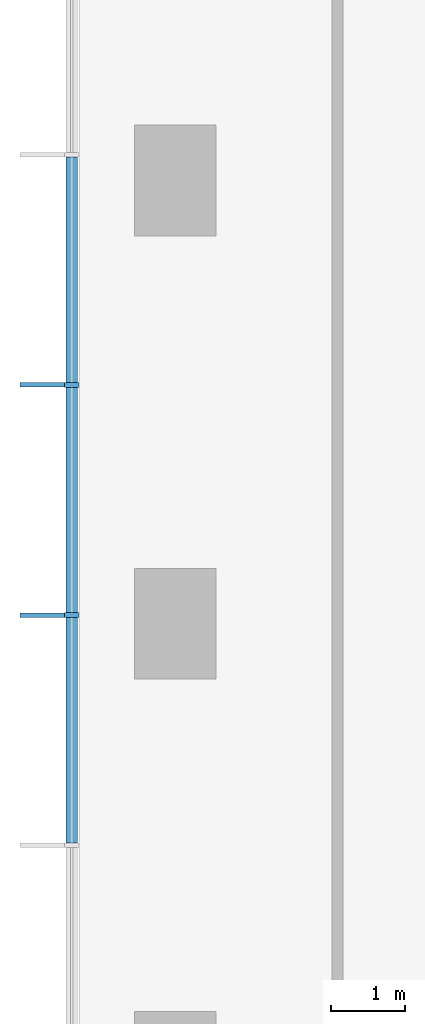
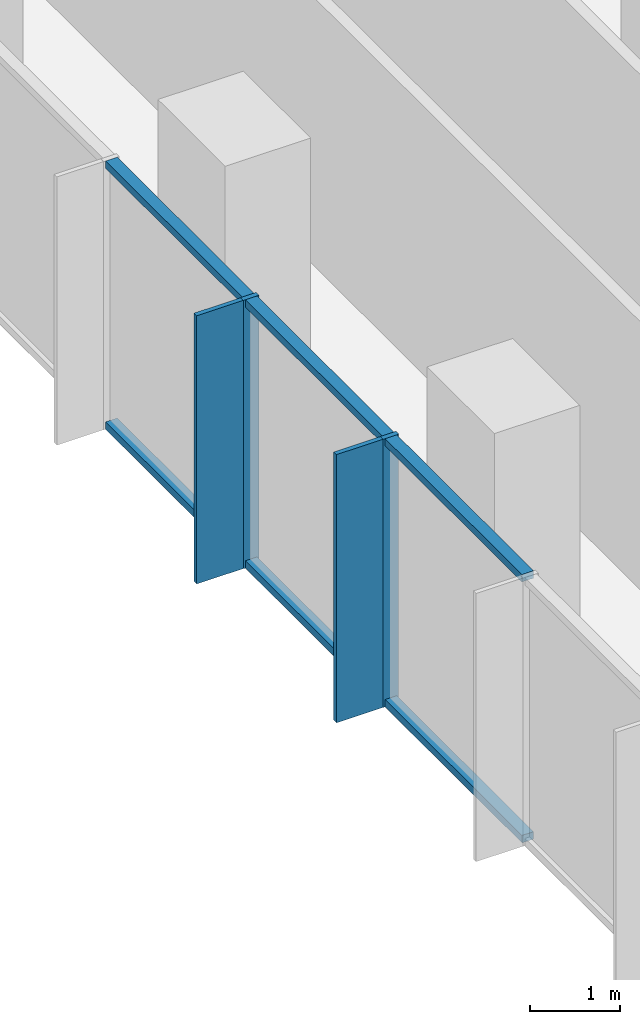
# One storey, part 3 of 11: 10 members, 1 element without a shape of its own.
"""IFC4 building model written with IfcOpenShell, lengths in metres."""

from ifc_helpers import new_model, si_unit, direction, frame, origin, origin_2d, place, context, subcontext, project, spatial, rectangle, extrude, material, layer, layer_set, material_profile, profile_set, type_object, element, aggregate, save


model = new_model("IFC4")

# Units and contexts
model_context = context("Model", 3, precision=1e-05, world=origin(), true_north=direction((0.0, 1.0)))
body_context = subcontext(model_context, "Body", "Model", "MODEL_VIEW")
ifc_project = project(units=[si_unit("LENGTHUNIT", "METRE"), si_unit("AREAUNIT", "SQUARE_METRE"), si_unit("VOLUMEUNIT", "CUBIC_METRE"), si_unit("PLANEANGLEUNIT", "RADIAN"), si_unit("MASSUNIT", "GRAM", prefix="KILO")], contexts=[model_context])

# Site, building, storey
site_placement = place(None, origin())
site = spatial("IfcSite", under=ifc_project, at=site_placement, CompositionType="ELEMENT")
building_placement = place(site_placement, origin())
building = spatial("IfcBuilding", under=site, at=building_placement, Name="Highveld Stack Headquarters", CompositionType="ELEMENT")
storey_placement = place(building_placement, frame((0.0, 0.0, 169.39990234375)))
storey = spatial("IfcBuildingStorey", under=building, at=storey_placement, Name="L41", CompositionType="ELEMENT", Elevation=169.39990234375)

# Curtain wall, members
ifc_material_1 = material(Name="Aluminium bronze anodised", Category="aluminium")
ifc_layer = layer(ifc_material_1, 0.199951171875)
ifc_layer_set = layer_set([ifc_layer], Name="Aluminium bronze anodised")
curtain_wall_type = type_object("IfcCurtainWallType", Name="CW6 SKY LOBBY UNITISED CURTAIN WALL", PredefinedType="NOTDEFINED", material=ifc_layer_set)
curtain_wall_placement = place(storey_placement, origin())
curtain_wall = element("IfcCurtainWall", 1, at=curtain_wall_placement, inside=storey, type_object=curtain_wall_type, Name="Curtain wall CW6 L41 W", PredefinedType="NOTDEFINED")
ifc_material_2 = material(Name="Aluminium bronze anodised", Category="aluminium")
ifc_material_profile_1 = material_profile(ifc_material_2, rectangle(XDim=0.60009765625, YDim=0.06005859375, at=origin_2d()), Name="FIN 600x60")
ifc_profile_set_1 = profile_set([ifc_material_profile_1], Name="Aluminium bronze anodised")
member_type_1 = type_object("IfcMemberType", Name="CW6 BRONZE FIN 600x60", PredefinedType="USERDEFINED", material=ifc_profile_set_1)
member_1_placement = place(storey_placement, frame((-13.800048828125, 15.23193359375, 0.0), z_axis=(0.0, 0.0, 1.0), x_axis=(1.0, 0.0, 0.0)))
member_1 = element("IfcMember", 2, at=member_1_placement, type_object=member_type_1, Name="CW6 fin L41 4", ObjectType="FIN", PredefinedType="USERDEFINED", context=body_context, shape_type="SweptSolid", body=[
    extrude(rectangle(XDim=0.60009765625, YDim=0.06005859375, at=origin_2d()), origin(), (0.0, 0.0, 1.0), 3.650146484375),
])
member_2_placement = place(storey_placement, frame((-13.800048828125, 12.115966796875, 0.0), z_axis=(0.0, 0.0, 1.0), x_axis=(1.0, 0.0, 0.0)))
member_2 = element("IfcMember", 3, at=member_2_placement, type_object=member_type_1, Name="CW6 fin L41 5", ObjectType="FIN", PredefinedType="USERDEFINED", context=body_context, shape_type="SweptSolid", body=[
    extrude(rectangle(XDim=0.60009765625, YDim=0.06005859375, at=origin_2d()), origin(), (0.0, 0.0, 1.0), 3.650146484375),
])
ifc_material_3 = material(Name="Aluminium bronze anodised", Category="aluminium")
ifc_material_profile_2 = material_profile(ifc_material_3, rectangle(XDim=0.199951171875, YDim=0.06494140625, at=origin_2d()), Name="CW6 MULLION 65x200")
ifc_profile_set_2 = profile_set([ifc_material_profile_2], Name="Aluminium bronze anodised")
member_type_2 = type_object("IfcMemberType", Name="CW6 MULLION 65x200", PredefinedType="MULLION", material=ifc_profile_set_2)
member_3_placement = place(storey_placement, frame((-13.39990234375, 15.23193359375, 0.0), z_axis=(0.0, 0.0, 1.0), x_axis=(1.0, 0.0, 0.0)))
member_3 = element("IfcMember", 4, at=member_3_placement, type_object=member_type_2, Name="CW6 mullion L41 4", PredefinedType="MULLION", context=body_context, shape_type="SweptSolid", body=[
    extrude(rectangle(XDim=0.199951171875, YDim=0.06494140625, at=origin_2d()), origin(), (0.0, 0.0, 1.0), 3.650146484375),
])
member_4_placement = place(storey_placement, frame((-13.39990234375, 12.115966796875, 0.0), z_axis=(0.0, 0.0, 1.0), x_axis=(1.0, 0.0, 0.0)))
member_4 = element("IfcMember", 5, at=member_4_placement, type_object=member_type_2, Name="CW6 mullion L41 5", PredefinedType="MULLION", context=body_context, shape_type="SweptSolid", body=[
    extrude(rectangle(XDim=0.199951171875, YDim=0.06494140625, at=origin_2d()), origin(), (0.0, 0.0, 1.0), 3.650146484375),
])
ifc_material_4 = material(Name="Aluminium bronze anodised", Category="aluminium")
ifc_material_profile_3 = material_profile(ifc_material_4, rectangle(XDim=0.14990234375, YDim=0.10009765625, at=origin_2d()), Name="CW6 TRANSOM 150x100")
ifc_profile_set_3 = profile_set([ifc_material_profile_3], Name="Aluminium bronze anodised")
member_type_3 = type_object("IfcMemberType", Name="CW6 STACK TRANSOM 150x100", PredefinedType="USERDEFINED", material=ifc_profile_set_3)
member_5_placement = place(storey_placement, frame((-13.39990234375, 18.3154296875, 0.050048828125), z_axis=(0.0, -1.0, 0.0), x_axis=(1.0, 0.0, 0.0)))
member_5 = element("IfcMember", 6, at=member_5_placement, type_object=member_type_3, Name="CW6 transom L41 3.1", ObjectType="TRANSOM", PredefinedType="USERDEFINED", context=body_context, shape_type="SweptSolid", body=[
    extrude(rectangle(XDim=0.14990234375, YDim=0.10009765625, at=origin_2d()), origin(), (0.0, 0.0, 1.0), 3.051025390625),
])
member_6_placement = place(storey_placement, frame((-13.39990234375, 18.3154296875, 3.60009765625), z_axis=(0.0, -1.0, 0.0), x_axis=(1.0, 0.0, 0.0)))
member_6 = element("IfcMember", 7, at=member_6_placement, type_object=member_type_3, Name="CW6 transom L41 3.2", ObjectType="TRANSOM", PredefinedType="USERDEFINED", context=body_context, shape_type="SweptSolid", body=[
    extrude(rectangle(XDim=0.14990234375, YDim=0.10009765625, at=origin_2d()), origin(), (0.0, 0.0, 1.0), 3.051025390625),
])
member_7_placement = place(storey_placement, frame((-13.39990234375, 15.199462890625, 0.050048828125), z_axis=(0.0, -1.0, 0.0), x_axis=(1.0, 0.0, 0.0)))
member_7 = element("IfcMember", 8, at=member_7_placement, type_object=member_type_3, Name="CW6 transom L41 4.1", ObjectType="TRANSOM", PredefinedType="USERDEFINED", context=body_context, shape_type="SweptSolid", body=[
    extrude(rectangle(XDim=0.14990234375, YDim=0.10009765625, at=origin_2d()), origin(), (0.0, 0.0, 1.0), 3.051025390625),
])
member_8_placement = place(storey_placement, frame((-13.39990234375, 15.199462890625, 3.60009765625), z_axis=(0.0, -1.0, 0.0), x_axis=(1.0, 0.0, 0.0)))
member_8 = element("IfcMember", 9, at=member_8_placement, type_object=member_type_3, Name="CW6 transom L41 4.2", ObjectType="TRANSOM", PredefinedType="USERDEFINED", context=body_context, shape_type="SweptSolid", body=[
    extrude(rectangle(XDim=0.14990234375, YDim=0.10009765625, at=origin_2d()), origin(), (0.0, 0.0, 1.0), 3.051025390625),
])
member_9_placement = place(storey_placement, frame((-13.39990234375, 12.08349609375, 0.050048828125), z_axis=(0.0, -1.0, 0.0), x_axis=(1.0, 0.0, 0.0)))
member_9 = element("IfcMember", 10, at=member_9_placement, type_object=member_type_3, Name="CW6 transom L41 5.1", ObjectType="TRANSOM", PredefinedType="USERDEFINED", context=body_context, shape_type="SweptSolid", body=[
    extrude(rectangle(XDim=0.14990234375, YDim=0.10009765625, at=origin_2d()), origin(), (0.0, 0.0, 1.0), 3.051025390625),
])
member_10_placement = place(storey_placement, frame((-13.39990234375, 12.08349609375, 3.60009765625), z_axis=(0.0, -1.0, 0.0), x_axis=(1.0, 0.0, 0.0)))
member_10 = element("IfcMember", 11, at=member_10_placement, type_object=member_type_3, Name="CW6 transom L41 5.2", ObjectType="TRANSOM", PredefinedType="USERDEFINED", context=body_context, shape_type="SweptSolid", body=[
    extrude(rectangle(XDim=0.14990234375, YDim=0.10009765625, at=origin_2d()), origin(), (0.0, 0.0, 1.0), 3.051025390625),
])
aggregate(curtain_wall, [member_3, member_1, member_4, member_2, member_5, member_6, member_7, member_8, member_9, member_10])

save(model, "model.ifc")
